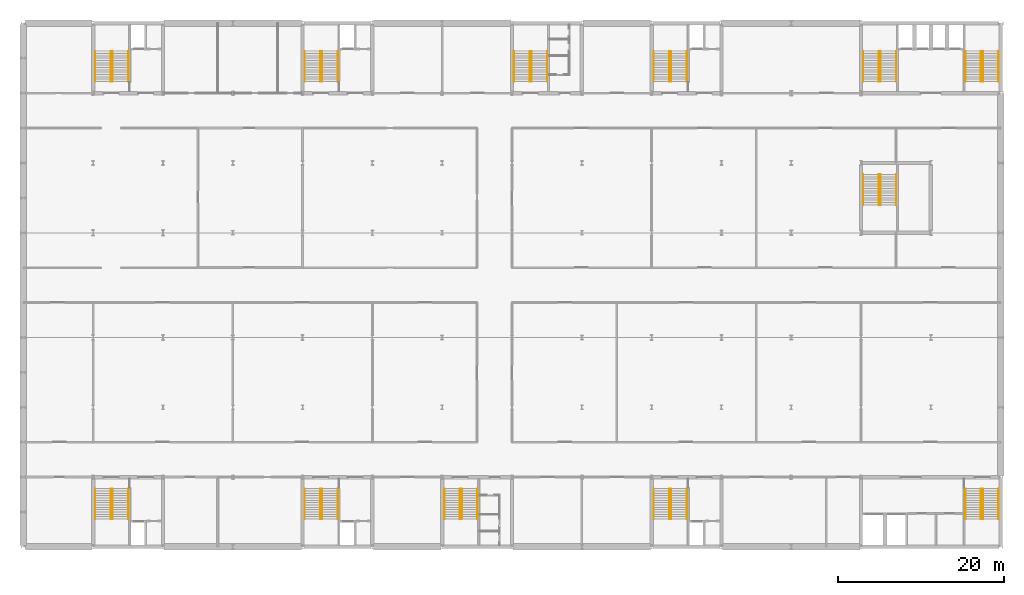
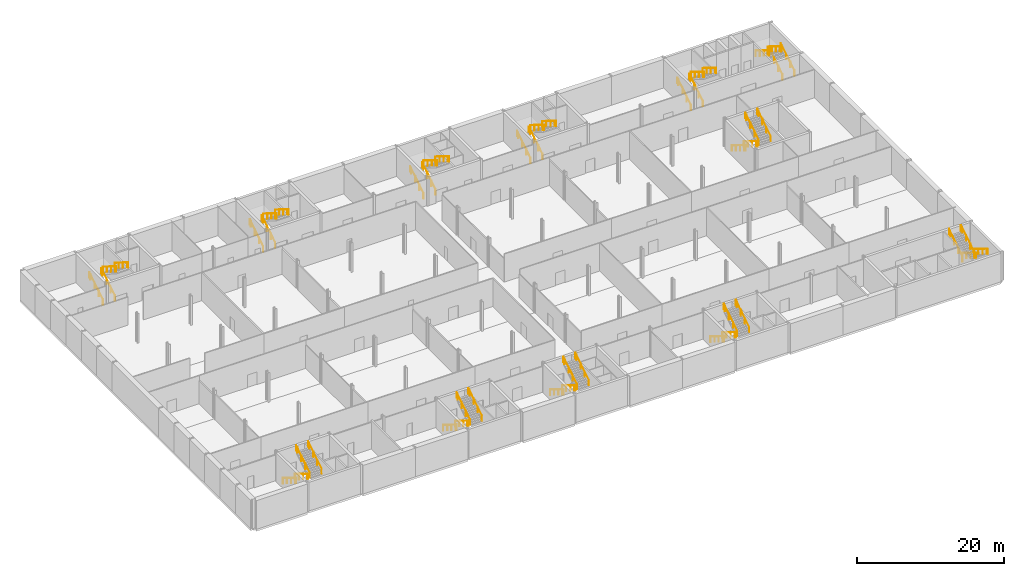
# One storey, part 20 of 20: 48 railings.
"""IFC4 building model written with IfcOpenShell, lengths in metres."""

from ifc_helpers import new_model, si_unit, direction, frame, origin, origin_2d, place, context, subcontext, project, spatial, circle, extrude, material, type_object, element, save


model = new_model("IFC4")

# Units and contexts
model_context = context("Model", 3, precision=1e-05, world=origin(), true_north=direction((0.0, 1.0)))
body_context = subcontext(model_context, "Body", "Model", "MODEL_VIEW")
ifc_project = project(units=[si_unit("LENGTHUNIT", "METRE"), si_unit("AREAUNIT", "SQUARE_METRE"), si_unit("VOLUMEUNIT", "CUBIC_METRE"), si_unit("PLANEANGLEUNIT", "RADIAN"), si_unit("MASSUNIT", "GRAM", prefix="KILO")], contexts=[model_context])

# Site, building, storey
site_placement = place(None, origin())
site = spatial("IfcSite", under=ifc_project, at=site_placement, CompositionType="ELEMENT")
building_placement = place(site_placement, origin())
building = spatial("IfcBuilding", under=site, at=building_placement, Name="Galleria Vessillo Department Store", CompositionType="ELEMENT")
storey_placement = place(building_placement, frame((0.0, 0.0, -4.89990234375)))
storey = spatial("IfcBuildingStorey", under=building, at=storey_placement, Name="B1", CompositionType="ELEMENT", Elevation=-4.89990234375)

# Railings
ifc_material = material(Name="Stainless steel tube", Category="steel")
railing_type = type_object("IfcRailingType", Name="Stair handrail steel tube 48 mm", PredefinedType="HANDRAIL", material=ifc_material)
for number, where, name in (
    (1, (10.5400390625, 7.0, 0.175048828125), "Handrail ST1 B1 flight 1A"),
    (2, (8.66015625, 7.0, 0.175048828125), "Handrail ST1 B1 flight 1B"),
):
    element("IfcRailing", number, at=place(storey_placement, frame(where)), inside=storey, type_object=railing_type, Name=name, PredefinedType="HANDRAIL", context=body_context, shape_type="SweptSolid", body=[
        extrude(circle(Radius=0.02392578125, at=origin_2d()), frame((0.0, 0.0, 0.89599609375), z_axis=(0.0, -0.848039838182, 0.529932479526), x_axis=(1.0, 0.0, 0.0)), (0.0, 0.0, 1.0), 1.32080078125),
        extrude(circle(Radius=0.02392578125, at=origin_2d()), frame((0.0, -1.1201171875, 1.595703125), z_axis=(0.0, -0.847987918019, 0.530015557218), x_axis=(1.0, 0.0, 0.0)), (0.0, 0.0, 1.0), 1.320556640625),
        extrude(circle(Radius=0.02392578125, at=origin_2d()), frame((0.0, -2.239990234375, 2.2958984375), z_axis=(0.0, -0.848039838182, 0.529932479526), x_axis=(1.0, 0.0, 0.0)), (0.0, 0.0, 1.0), 1.32080078125),
        extrude(circle(Radius=0.02392578125, at=origin_2d()), frame((0.0, -3.360107421875, 2.99560546875), z_axis=(0.0, -0.847748857586, 0.530397845453), x_axis=(1.0, 0.0, 0.0)), (0.0, 0.0, 1.0), 0.330078125),
        extrude(circle(Radius=0.02099609375, at=origin_2d()), origin(), (0.0, 0.0, 1.0), 0.871826171875),
        extrude(circle(Radius=0.02099609375, at=origin_2d()), frame((0.0, -1.1201171875, 0.699951171875)), (0.0, 0.0, 1.0), 0.871826171875),
        extrude(circle(Radius=0.02099609375, at=origin_2d()), frame((0.0, -2.239990234375, 1.39990234375)), (0.0, 0.0, 1.0), 0.871826171875),
        extrude(circle(Radius=0.02099609375, at=origin_2d()), frame((0.0, -3.360107421875, 2.099853515625)), (0.0, 0.0, 1.0), 0.871826171875),
        extrude(circle(Radius=0.02099609375, at=origin_2d()), frame((0.0, -3.639892578125, 2.27490234375)), (0.0, 0.0, 1.0), 0.871826171875),
    ])
for number, where, name in (
    (3, (10.760009765625, 3.360107421875, 2.625), "Handrail ST1 B1 flight 2A"),
    (4, (12.639892578125, 3.360107421875, 2.625), "Handrail ST1 B1 flight 2B"),
    (5, (8.66015625, 56.0, 0.175048828125), "Handrail ST2 B1 flight 1A"),
    (6, (10.5400390625, 56.0, 0.175048828125), "Handrail ST2 B1 flight 1B"),
):
    element("IfcRailing", number, at=place(storey_placement, frame(where)), inside=storey, type_object=railing_type, Name=name, PredefinedType="HANDRAIL", context=body_context, shape_type="SweptSolid", body=[
        extrude(circle(Radius=0.02392578125, at=origin_2d()), frame((0.0, 0.0, 0.89599609375), z_axis=(0.0, 0.848039838182, 0.529932479526), x_axis=(-1.0, 0.0, 0.0)), (0.0, 0.0, 1.0), 1.32080078125),
        extrude(circle(Radius=0.02392578125, at=origin_2d()), frame((0.0, 1.1201171875, 1.595703125), z_axis=(0.0, 0.847987918019, 0.530015557218), x_axis=(-1.0, 0.0, 0.0)), (0.0, 0.0, 1.0), 1.320556640625),
        extrude(circle(Radius=0.02392578125, at=origin_2d()), frame((0.0, 2.239990234375, 2.2958984375), z_axis=(0.0, 0.848039838182, 0.529932479526), x_axis=(-1.0, 0.0, 0.0)), (0.0, 0.0, 1.0), 1.32080078125),
        extrude(circle(Radius=0.02392578125, at=origin_2d()), frame((0.0, 3.360107421875, 2.99560546875), z_axis=(0.0, 0.847748857586, 0.530397845453), x_axis=(-1.0, 0.0, 0.0)), (0.0, 0.0, 1.0), 0.330078125),
        extrude(circle(Radius=0.02099609375, at=origin_2d()), origin(), (0.0, 0.0, 1.0), 0.871826171875),
        extrude(circle(Radius=0.02099609375, at=origin_2d()), frame((0.0, 1.1201171875, 0.699951171875)), (0.0, 0.0, 1.0), 0.871826171875),
        extrude(circle(Radius=0.02099609375, at=origin_2d()), frame((0.0, 2.239990234375, 1.39990234375)), (0.0, 0.0, 1.0), 0.871826171875),
        extrude(circle(Radius=0.02099609375, at=origin_2d()), frame((0.0, 3.360107421875, 2.099853515625)), (0.0, 0.0, 1.0), 0.871826171875),
        extrude(circle(Radius=0.02099609375, at=origin_2d()), frame((0.0, 3.639892578125, 2.27490234375)), (0.0, 0.0, 1.0), 0.871826171875),
    ])
for number, where, name in (
    (7, (12.639892578125, 59.639892578125, 2.625), "Handrail ST2 B1 flight 2A"),
    (8, (10.760009765625, 59.639892578125, 2.625), "Handrail ST2 B1 flight 2B"),
    (9, (35.739990234375, 7.0, 0.175048828125), "Handrail ST3 B1 flight 1A"),
    (10, (33.860107421875, 7.0, 0.175048828125), "Handrail ST3 B1 flight 1B"),
):
    element("IfcRailing", number, at=place(storey_placement, frame(where)), inside=storey, type_object=railing_type, Name=name, PredefinedType="HANDRAIL", context=body_context, shape_type="SweptSolid", body=[
        extrude(circle(Radius=0.02392578125, at=origin_2d()), frame((0.0, 0.0, 0.89599609375), z_axis=(0.0, -0.848039838182, 0.529932479526), x_axis=(1.0, 0.0, 0.0)), (0.0, 0.0, 1.0), 1.32080078125),
        extrude(circle(Radius=0.02392578125, at=origin_2d()), frame((0.0, -1.1201171875, 1.595703125), z_axis=(0.0, -0.847987918019, 0.530015557218), x_axis=(1.0, 0.0, 0.0)), (0.0, 0.0, 1.0), 1.320556640625),
        extrude(circle(Radius=0.02392578125, at=origin_2d()), frame((0.0, -2.239990234375, 2.2958984375), z_axis=(0.0, -0.848039838182, 0.529932479526), x_axis=(1.0, 0.0, 0.0)), (0.0, 0.0, 1.0), 1.32080078125),
        extrude(circle(Radius=0.02392578125, at=origin_2d()), frame((0.0, -3.360107421875, 2.99560546875), z_axis=(0.0, -0.847748857586, 0.530397845453), x_axis=(1.0, 0.0, 0.0)), (0.0, 0.0, 1.0), 0.330078125),
        extrude(circle(Radius=0.02099609375, at=origin_2d()), origin(), (0.0, 0.0, 1.0), 0.871826171875),
        extrude(circle(Radius=0.02099609375, at=origin_2d()), frame((0.0, -1.1201171875, 0.699951171875)), (0.0, 0.0, 1.0), 0.871826171875),
        extrude(circle(Radius=0.02099609375, at=origin_2d()), frame((0.0, -2.239990234375, 1.39990234375)), (0.0, 0.0, 1.0), 0.871826171875),
        extrude(circle(Radius=0.02099609375, at=origin_2d()), frame((0.0, -3.360107421875, 2.099853515625)), (0.0, 0.0, 1.0), 0.871826171875),
        extrude(circle(Radius=0.02099609375, at=origin_2d()), frame((0.0, -3.639892578125, 2.27490234375)), (0.0, 0.0, 1.0), 0.871826171875),
    ])
for number, where, name in (
    (11, (35.9599609375, 3.360107421875, 2.625), "Handrail ST3 B1 flight 2A"),
    (12, (37.83984375, 3.360107421875, 2.625), "Handrail ST3 B1 flight 2B"),
    (13, (33.860107421875, 56.0, 0.175048828125), "Handrail ST4 B1 flight 1A"),
    (14, (35.739990234375, 56.0, 0.175048828125), "Handrail ST4 B1 flight 1B"),
):
    element("IfcRailing", number, at=place(storey_placement, frame(where)), inside=storey, type_object=railing_type, Name=name, PredefinedType="HANDRAIL", context=body_context, shape_type="SweptSolid", body=[
        extrude(circle(Radius=0.02392578125, at=origin_2d()), frame((0.0, 0.0, 0.89599609375), z_axis=(0.0, 0.848039838182, 0.529932479526), x_axis=(-1.0, 0.0, 0.0)), (0.0, 0.0, 1.0), 1.32080078125),
        extrude(circle(Radius=0.02392578125, at=origin_2d()), frame((0.0, 1.1201171875, 1.595703125), z_axis=(0.0, 0.847987918019, 0.530015557218), x_axis=(-1.0, 0.0, 0.0)), (0.0, 0.0, 1.0), 1.320556640625),
        extrude(circle(Radius=0.02392578125, at=origin_2d()), frame((0.0, 2.239990234375, 2.2958984375), z_axis=(0.0, 0.848039838182, 0.529932479526), x_axis=(-1.0, 0.0, 0.0)), (0.0, 0.0, 1.0), 1.32080078125),
        extrude(circle(Radius=0.02392578125, at=origin_2d()), frame((0.0, 3.360107421875, 2.99560546875), z_axis=(0.0, 0.847748857586, 0.530397845453), x_axis=(-1.0, 0.0, 0.0)), (0.0, 0.0, 1.0), 0.330078125),
        extrude(circle(Radius=0.02099609375, at=origin_2d()), origin(), (0.0, 0.0, 1.0), 0.871826171875),
        extrude(circle(Radius=0.02099609375, at=origin_2d()), frame((0.0, 1.1201171875, 0.699951171875)), (0.0, 0.0, 1.0), 0.871826171875),
        extrude(circle(Radius=0.02099609375, at=origin_2d()), frame((0.0, 2.239990234375, 1.39990234375)), (0.0, 0.0, 1.0), 0.871826171875),
        extrude(circle(Radius=0.02099609375, at=origin_2d()), frame((0.0, 3.360107421875, 2.099853515625)), (0.0, 0.0, 1.0), 0.871826171875),
        extrude(circle(Radius=0.02099609375, at=origin_2d()), frame((0.0, 3.639892578125, 2.27490234375)), (0.0, 0.0, 1.0), 0.871826171875),
    ])
for number, where, name in (
    (15, (37.83984375, 59.639892578125, 2.625), "Handrail ST4 B1 flight 2A"),
    (16, (35.9599609375, 59.639892578125, 2.625), "Handrail ST4 B1 flight 2B"),
    (17, (77.739990234375, 7.0, 0.175048828125), "Handrail ST5 B1 flight 1A"),
    (18, (75.860107421875, 7.0, 0.175048828125), "Handrail ST5 B1 flight 1B"),
):
    element("IfcRailing", number, at=place(storey_placement, frame(where)), inside=storey, type_object=railing_type, Name=name, PredefinedType="HANDRAIL", context=body_context, shape_type="SweptSolid", body=[
        extrude(circle(Radius=0.02392578125, at=origin_2d()), frame((0.0, 0.0, 0.89599609375), z_axis=(0.0, -0.848039838182, 0.529932479526), x_axis=(1.0, 0.0, 0.0)), (0.0, 0.0, 1.0), 1.32080078125),
        extrude(circle(Radius=0.02392578125, at=origin_2d()), frame((0.0, -1.1201171875, 1.595703125), z_axis=(0.0, -0.847987918019, 0.530015557218), x_axis=(1.0, 0.0, 0.0)), (0.0, 0.0, 1.0), 1.320556640625),
        extrude(circle(Radius=0.02392578125, at=origin_2d()), frame((0.0, -2.239990234375, 2.2958984375), z_axis=(0.0, -0.848039838182, 0.529932479526), x_axis=(1.0, 0.0, 0.0)), (0.0, 0.0, 1.0), 1.32080078125),
        extrude(circle(Radius=0.02392578125, at=origin_2d()), frame((0.0, -3.360107421875, 2.99560546875), z_axis=(0.0, -0.847748857586, 0.530397845453), x_axis=(1.0, 0.0, 0.0)), (0.0, 0.0, 1.0), 0.330078125),
        extrude(circle(Radius=0.02099609375, at=origin_2d()), origin(), (0.0, 0.0, 1.0), 0.871826171875),
        extrude(circle(Radius=0.02099609375, at=origin_2d()), frame((0.0, -1.1201171875, 0.699951171875)), (0.0, 0.0, 1.0), 0.871826171875),
        extrude(circle(Radius=0.02099609375, at=origin_2d()), frame((0.0, -2.239990234375, 1.39990234375)), (0.0, 0.0, 1.0), 0.871826171875),
        extrude(circle(Radius=0.02099609375, at=origin_2d()), frame((0.0, -3.360107421875, 2.099853515625)), (0.0, 0.0, 1.0), 0.871826171875),
        extrude(circle(Radius=0.02099609375, at=origin_2d()), frame((0.0, -3.639892578125, 2.27490234375)), (0.0, 0.0, 1.0), 0.871826171875),
    ])
for number, where, name in (
    (19, (77.9599609375, 3.360107421875, 2.625), "Handrail ST5 B1 flight 2A"),
    (20, (79.83984375, 3.360107421875, 2.625), "Handrail ST5 B1 flight 2B"),
    (21, (75.860107421875, 56.0, 0.175048828125), "Handrail ST6 B1 flight 1A"),
    (22, (77.739990234375, 56.0, 0.175048828125), "Handrail ST6 B1 flight 1B"),
):
    element("IfcRailing", number, at=place(storey_placement, frame(where)), inside=storey, type_object=railing_type, Name=name, PredefinedType="HANDRAIL", context=body_context, shape_type="SweptSolid", body=[
        extrude(circle(Radius=0.02392578125, at=origin_2d()), frame((0.0, 0.0, 0.89599609375), z_axis=(0.0, 0.848039838182, 0.529932479526), x_axis=(-1.0, 0.0, 0.0)), (0.0, 0.0, 1.0), 1.32080078125),
        extrude(circle(Radius=0.02392578125, at=origin_2d()), frame((0.0, 1.1201171875, 1.595703125), z_axis=(0.0, 0.847987918019, 0.530015557218), x_axis=(-1.0, 0.0, 0.0)), (0.0, 0.0, 1.0), 1.320556640625),
        extrude(circle(Radius=0.02392578125, at=origin_2d()), frame((0.0, 2.239990234375, 2.2958984375), z_axis=(0.0, 0.848039838182, 0.529932479526), x_axis=(-1.0, 0.0, 0.0)), (0.0, 0.0, 1.0), 1.32080078125),
        extrude(circle(Radius=0.02392578125, at=origin_2d()), frame((0.0, 3.360107421875, 2.99560546875), z_axis=(0.0, 0.847748857586, 0.530397845453), x_axis=(-1.0, 0.0, 0.0)), (0.0, 0.0, 1.0), 0.330078125),
        extrude(circle(Radius=0.02099609375, at=origin_2d()), origin(), (0.0, 0.0, 1.0), 0.871826171875),
        extrude(circle(Radius=0.02099609375, at=origin_2d()), frame((0.0, 1.1201171875, 0.699951171875)), (0.0, 0.0, 1.0), 0.871826171875),
        extrude(circle(Radius=0.02099609375, at=origin_2d()), frame((0.0, 2.239990234375, 1.39990234375)), (0.0, 0.0, 1.0), 0.871826171875),
        extrude(circle(Radius=0.02099609375, at=origin_2d()), frame((0.0, 3.360107421875, 2.099853515625)), (0.0, 0.0, 1.0), 0.871826171875),
        extrude(circle(Radius=0.02099609375, at=origin_2d()), frame((0.0, 3.639892578125, 2.27490234375)), (0.0, 0.0, 1.0), 0.871826171875),
    ])
for number, where, name in (
    (23, (79.83984375, 59.639892578125, 2.625), "Handrail ST6 B1 flight 2A"),
    (24, (77.9599609375, 59.639892578125, 2.625), "Handrail ST6 B1 flight 2B"),
    (25, (52.5400390625, 7.0, 0.175048828125), "Handrail ST10 B1 flight 1A"),
    (26, (50.66015625, 7.0, 0.175048828125), "Handrail ST10 B1 flight 1B"),
):
    element("IfcRailing", number, at=place(storey_placement, frame(where)), inside=storey, type_object=railing_type, Name=name, PredefinedType="HANDRAIL", context=body_context, shape_type="SweptSolid", body=[
        extrude(circle(Radius=0.02392578125, at=origin_2d()), frame((0.0, 0.0, 0.89599609375), z_axis=(0.0, -0.848039838182, 0.529932479526), x_axis=(1.0, 0.0, 0.0)), (0.0, 0.0, 1.0), 1.32080078125),
        extrude(circle(Radius=0.02392578125, at=origin_2d()), frame((0.0, -1.1201171875, 1.595703125), z_axis=(0.0, -0.847987918019, 0.530015557218), x_axis=(1.0, 0.0, 0.0)), (0.0, 0.0, 1.0), 1.320556640625),
        extrude(circle(Radius=0.02392578125, at=origin_2d()), frame((0.0, -2.239990234375, 2.2958984375), z_axis=(0.0, -0.848039838182, 0.529932479526), x_axis=(1.0, 0.0, 0.0)), (0.0, 0.0, 1.0), 1.32080078125),
        extrude(circle(Radius=0.02392578125, at=origin_2d()), frame((0.0, -3.360107421875, 2.99560546875), z_axis=(0.0, -0.847748857586, 0.530397845453), x_axis=(1.0, 0.0, 0.0)), (0.0, 0.0, 1.0), 0.330078125),
        extrude(circle(Radius=0.02099609375, at=origin_2d()), origin(), (0.0, 0.0, 1.0), 0.871826171875),
        extrude(circle(Radius=0.02099609375, at=origin_2d()), frame((0.0, -1.1201171875, 0.699951171875)), (0.0, 0.0, 1.0), 0.871826171875),
        extrude(circle(Radius=0.02099609375, at=origin_2d()), frame((0.0, -2.239990234375, 1.39990234375)), (0.0, 0.0, 1.0), 0.871826171875),
        extrude(circle(Radius=0.02099609375, at=origin_2d()), frame((0.0, -3.360107421875, 2.099853515625)), (0.0, 0.0, 1.0), 0.871826171875),
        extrude(circle(Radius=0.02099609375, at=origin_2d()), frame((0.0, -3.639892578125, 2.27490234375)), (0.0, 0.0, 1.0), 0.871826171875),
    ])
for number, where, name in (
    (27, (52.760009765625, 3.360107421875, 2.625), "Handrail ST10 B1 flight 2A"),
    (28, (54.639892578125, 3.360107421875, 2.625), "Handrail ST10 B1 flight 2B"),
    (29, (59.06005859375, 56.0, 0.175048828125), "Handrail ST11 B1 flight 1A"),
    (30, (60.93994140625, 56.0, 0.175048828125), "Handrail ST11 B1 flight 1B"),
):
    element("IfcRailing", number, at=place(storey_placement, frame(where)), inside=storey, type_object=railing_type, Name=name, PredefinedType="HANDRAIL", context=body_context, shape_type="SweptSolid", body=[
        extrude(circle(Radius=0.02392578125, at=origin_2d()), frame((0.0, 0.0, 0.89599609375), z_axis=(0.0, 0.848039838182, 0.529932479526), x_axis=(-1.0, 0.0, 0.0)), (0.0, 0.0, 1.0), 1.32080078125),
        extrude(circle(Radius=0.02392578125, at=origin_2d()), frame((0.0, 1.1201171875, 1.595703125), z_axis=(0.0, 0.847987918019, 0.530015557218), x_axis=(-1.0, 0.0, 0.0)), (0.0, 0.0, 1.0), 1.320556640625),
        extrude(circle(Radius=0.02392578125, at=origin_2d()), frame((0.0, 2.239990234375, 2.2958984375), z_axis=(0.0, 0.848039838182, 0.529932479526), x_axis=(-1.0, 0.0, 0.0)), (0.0, 0.0, 1.0), 1.32080078125),
        extrude(circle(Radius=0.02392578125, at=origin_2d()), frame((0.0, 3.360107421875, 2.99560546875), z_axis=(0.0, 0.847748857586, 0.530397845453), x_axis=(-1.0, 0.0, 0.0)), (0.0, 0.0, 1.0), 0.330078125),
        extrude(circle(Radius=0.02099609375, at=origin_2d()), origin(), (0.0, 0.0, 1.0), 0.871826171875),
        extrude(circle(Radius=0.02099609375, at=origin_2d()), frame((0.0, 1.1201171875, 0.699951171875)), (0.0, 0.0, 1.0), 0.871826171875),
        extrude(circle(Radius=0.02099609375, at=origin_2d()), frame((0.0, 2.239990234375, 1.39990234375)), (0.0, 0.0, 1.0), 0.871826171875),
        extrude(circle(Radius=0.02099609375, at=origin_2d()), frame((0.0, 3.360107421875, 2.099853515625)), (0.0, 0.0, 1.0), 0.871826171875),
        extrude(circle(Radius=0.02099609375, at=origin_2d()), frame((0.0, 3.639892578125, 2.27490234375)), (0.0, 0.0, 1.0), 0.871826171875),
    ])
for number, where, name in (
    (31, (63.0400390625, 59.639892578125, 2.625), "Handrail ST11 B1 flight 2A"),
    (32, (61.16015625, 59.639892578125, 2.625), "Handrail ST11 B1 flight 2B"),
    (33, (117.33984375, 7.0, 0.175048828125), "Handrail ST7 B1 flight 1A"),
    (34, (115.4599609375, 7.0, 0.175048828125), "Handrail ST7 B1 flight 1B"),
):
    element("IfcRailing", number, at=place(storey_placement, frame(where)), inside=storey, type_object=railing_type, Name=name, PredefinedType="HANDRAIL", context=body_context, shape_type="SweptSolid", body=[
        extrude(circle(Radius=0.02392578125, at=origin_2d()), frame((0.0, 0.0, 0.89599609375), z_axis=(0.0, -0.848039838182, 0.529932479526), x_axis=(1.0, 0.0, 0.0)), (0.0, 0.0, 1.0), 1.32080078125),
        extrude(circle(Radius=0.02392578125, at=origin_2d()), frame((0.0, -1.1201171875, 1.595703125), z_axis=(0.0, -0.847987918019, 0.530015557218), x_axis=(1.0, 0.0, 0.0)), (0.0, 0.0, 1.0), 1.320556640625),
        extrude(circle(Radius=0.02392578125, at=origin_2d()), frame((0.0, -2.239990234375, 2.2958984375), z_axis=(0.0, -0.848039838182, 0.529932479526), x_axis=(1.0, 0.0, 0.0)), (0.0, 0.0, 1.0), 1.32080078125),
        extrude(circle(Radius=0.02392578125, at=origin_2d()), frame((0.0, -3.360107421875, 2.99560546875), z_axis=(0.0, -0.847748857586, 0.530397845453), x_axis=(1.0, 0.0, 0.0)), (0.0, 0.0, 1.0), 0.330078125),
        extrude(circle(Radius=0.02099609375, at=origin_2d()), origin(), (0.0, 0.0, 1.0), 0.871826171875),
        extrude(circle(Radius=0.02099609375, at=origin_2d()), frame((0.0, -1.1201171875, 0.699951171875)), (0.0, 0.0, 1.0), 0.871826171875),
        extrude(circle(Radius=0.02099609375, at=origin_2d()), frame((0.0, -2.239990234375, 1.39990234375)), (0.0, 0.0, 1.0), 0.871826171875),
        extrude(circle(Radius=0.02099609375, at=origin_2d()), frame((0.0, -3.360107421875, 2.099853515625)), (0.0, 0.0, 1.0), 0.871826171875),
        extrude(circle(Radius=0.02099609375, at=origin_2d()), frame((0.0, -3.639892578125, 2.27490234375)), (0.0, 0.0, 1.0), 0.871826171875),
    ])
for number, where, name in (
    (35, (113.360107421875, 3.360107421875, 2.625), "Handrail ST7 B1 flight 2A"),
    (36, (115.239990234375, 3.360107421875, 2.625), "Handrail ST7 B1 flight 2B"),
    (37, (101.06005859375, 56.0, 0.175048828125), "Handrail ST8 B1 flight 1A"),
    (38, (102.93994140625, 56.0, 0.175048828125), "Handrail ST8 B1 flight 1B"),
):
    element("IfcRailing", number, at=place(storey_placement, frame(where)), inside=storey, type_object=railing_type, Name=name, PredefinedType="HANDRAIL", context=body_context, shape_type="SweptSolid", body=[
        extrude(circle(Radius=0.02392578125, at=origin_2d()), frame((0.0, 0.0, 0.89599609375), z_axis=(0.0, 0.848039838182, 0.529932479526), x_axis=(-1.0, 0.0, 0.0)), (0.0, 0.0, 1.0), 1.32080078125),
        extrude(circle(Radius=0.02392578125, at=origin_2d()), frame((0.0, 1.1201171875, 1.595703125), z_axis=(0.0, 0.847987918019, 0.530015557218), x_axis=(-1.0, 0.0, 0.0)), (0.0, 0.0, 1.0), 1.320556640625),
        extrude(circle(Radius=0.02392578125, at=origin_2d()), frame((0.0, 2.239990234375, 2.2958984375), z_axis=(0.0, 0.848039838182, 0.529932479526), x_axis=(-1.0, 0.0, 0.0)), (0.0, 0.0, 1.0), 1.32080078125),
        extrude(circle(Radius=0.02392578125, at=origin_2d()), frame((0.0, 3.360107421875, 2.99560546875), z_axis=(0.0, 0.847748857586, 0.530397845453), x_axis=(-1.0, 0.0, 0.0)), (0.0, 0.0, 1.0), 0.330078125),
        extrude(circle(Radius=0.02099609375, at=origin_2d()), origin(), (0.0, 0.0, 1.0), 0.871826171875),
        extrude(circle(Radius=0.02099609375, at=origin_2d()), frame((0.0, 1.1201171875, 0.699951171875)), (0.0, 0.0, 1.0), 0.871826171875),
        extrude(circle(Radius=0.02099609375, at=origin_2d()), frame((0.0, 2.239990234375, 1.39990234375)), (0.0, 0.0, 1.0), 0.871826171875),
        extrude(circle(Radius=0.02099609375, at=origin_2d()), frame((0.0, 3.360107421875, 2.099853515625)), (0.0, 0.0, 1.0), 0.871826171875),
        extrude(circle(Radius=0.02099609375, at=origin_2d()), frame((0.0, 3.639892578125, 2.27490234375)), (0.0, 0.0, 1.0), 0.871826171875),
    ])
for number, where, name in (
    (39, (105.0400390625, 59.639892578125, 2.625), "Handrail ST8 B1 flight 2A"),
    (40, (103.16015625, 59.639892578125, 2.625), "Handrail ST8 B1 flight 2B"),
):
    element("IfcRailing", number, at=place(storey_placement, frame(where)), inside=storey, type_object=railing_type, Name=name, PredefinedType="HANDRAIL", context=body_context, shape_type="SweptSolid", body=[
        extrude(circle(Radius=0.02392578125, at=origin_2d()), frame((0.0, 0.0, 0.89599609375), z_axis=(0.0, -0.848039838182, 0.529932479526), x_axis=(1.0, 0.0, 0.0)), (0.0, 0.0, 1.0), 1.32080078125),
        extrude(circle(Radius=0.02392578125, at=origin_2d()), frame((0.0, -1.1201171875, 1.595703125), z_axis=(0.0, -0.847987918019, 0.530015557218), x_axis=(1.0, 0.0, 0.0)), (0.0, 0.0, 1.0), 1.320556640625),
        extrude(circle(Radius=0.02392578125, at=origin_2d()), frame((0.0, -2.239990234375, 2.2958984375), z_axis=(0.0, -0.848039838182, 0.529932479526), x_axis=(1.0, 0.0, 0.0)), (0.0, 0.0, 1.0), 1.32080078125),
        extrude(circle(Radius=0.02392578125, at=origin_2d()), frame((0.0, -3.360107421875, 2.99560546875), z_axis=(0.0, -0.847748857586, 0.530397845453), x_axis=(1.0, 0.0, 0.0)), (0.0, 0.0, 1.0), 0.330078125),
        extrude(circle(Radius=0.02099609375, at=origin_2d()), origin(), (0.0, 0.0, 1.0), 0.871826171875),
        extrude(circle(Radius=0.02099609375, at=origin_2d()), frame((0.0, -1.1201171875, 0.699951171875)), (0.0, 0.0, 1.0), 0.871826171875),
        extrude(circle(Radius=0.02099609375, at=origin_2d()), frame((0.0, -2.239990234375, 1.39990234375)), (0.0, 0.0, 1.0), 0.871826171875),
        extrude(circle(Radius=0.02099609375, at=origin_2d()), frame((0.0, -3.360107421875, 2.099853515625)), (0.0, 0.0, 1.0), 0.871826171875),
        extrude(circle(Radius=0.02099609375, at=origin_2d()), frame((0.0, -3.639892578125, 2.27490234375)), (0.0, 0.0, 1.0), 0.871826171875),
    ])
for number, where, name in (
    (41, (115.4599609375, 56.0, 0.175048828125), "Handrail ST9 B1 flight 1A"),
    (42, (117.33984375, 56.0, 0.175048828125), "Handrail ST9 B1 flight 1B"),
):
    element("IfcRailing", number, at=place(storey_placement, frame(where)), inside=storey, type_object=railing_type, Name=name, PredefinedType="HANDRAIL", context=body_context, shape_type="SweptSolid", body=[
        extrude(circle(Radius=0.02392578125, at=origin_2d()), frame((0.0, 0.0, 0.89599609375), z_axis=(0.0, 0.848039838182, 0.529932479526), x_axis=(-1.0, 0.0, 0.0)), (0.0, 0.0, 1.0), 1.32080078125),
        extrude(circle(Radius=0.02392578125, at=origin_2d()), frame((0.0, 1.1201171875, 1.595703125), z_axis=(0.0, 0.847987918019, 0.530015557218), x_axis=(-1.0, 0.0, 0.0)), (0.0, 0.0, 1.0), 1.320556640625),
        extrude(circle(Radius=0.02392578125, at=origin_2d()), frame((0.0, 2.239990234375, 2.2958984375), z_axis=(0.0, 0.848039838182, 0.529932479526), x_axis=(-1.0, 0.0, 0.0)), (0.0, 0.0, 1.0), 1.32080078125),
        extrude(circle(Radius=0.02392578125, at=origin_2d()), frame((0.0, 3.360107421875, 2.99560546875), z_axis=(0.0, 0.847748857586, 0.530397845453), x_axis=(-1.0, 0.0, 0.0)), (0.0, 0.0, 1.0), 0.330078125),
        extrude(circle(Radius=0.02099609375, at=origin_2d()), origin(), (0.0, 0.0, 1.0), 0.871826171875),
        extrude(circle(Radius=0.02099609375, at=origin_2d()), frame((0.0, 1.1201171875, 0.699951171875)), (0.0, 0.0, 1.0), 0.871826171875),
        extrude(circle(Radius=0.02099609375, at=origin_2d()), frame((0.0, 2.239990234375, 1.39990234375)), (0.0, 0.0, 1.0), 0.871826171875),
        extrude(circle(Radius=0.02099609375, at=origin_2d()), frame((0.0, 3.360107421875, 2.099853515625)), (0.0, 0.0, 1.0), 0.871826171875),
        extrude(circle(Radius=0.02099609375, at=origin_2d()), frame((0.0, 3.639892578125, 2.27490234375)), (0.0, 0.0, 1.0), 0.871826171875),
    ])
for number, where, name in (
    (43, (115.239990234375, 59.639892578125, 2.625), "Handrail ST9 B1 flight 2A"),
    (44, (113.360107421875, 59.639892578125, 2.625), "Handrail ST9 B1 flight 2B"),
    (45, (102.93994140625, 44.800048828125, 0.175048828125), "Handrail ST12 B1 flight 1A"),
    (46, (101.06005859375, 44.800048828125, 0.175048828125), "Handrail ST12 B1 flight 1B"),
):
    element("IfcRailing", number, at=place(storey_placement, frame(where)), inside=storey, type_object=railing_type, Name=name, PredefinedType="HANDRAIL", context=body_context, shape_type="SweptSolid", body=[
        extrude(circle(Radius=0.02392578125, at=origin_2d()), frame((0.0, 0.0, 0.89599609375), z_axis=(0.0, -0.848039838182, 0.529932479526), x_axis=(1.0, 0.0, 0.0)), (0.0, 0.0, 1.0), 1.32080078125),
        extrude(circle(Radius=0.02392578125, at=origin_2d()), frame((0.0, -1.1201171875, 1.595703125), z_axis=(0.0, -0.847987918019, 0.530015557218), x_axis=(1.0, 0.0, 0.0)), (0.0, 0.0, 1.0), 1.320556640625),
        extrude(circle(Radius=0.02392578125, at=origin_2d()), frame((0.0, -2.239990234375, 2.2958984375), z_axis=(0.0, -0.848039838182, 0.529932479526), x_axis=(1.0, 0.0, 0.0)), (0.0, 0.0, 1.0), 1.32080078125),
        extrude(circle(Radius=0.02392578125, at=origin_2d()), frame((0.0, -3.360107421875, 2.99560546875), z_axis=(0.0, -0.847748857586, 0.530397845453), x_axis=(1.0, 0.0, 0.0)), (0.0, 0.0, 1.0), 0.330078125),
        extrude(circle(Radius=0.02099609375, at=origin_2d()), origin(), (0.0, 0.0, 1.0), 0.871826171875),
        extrude(circle(Radius=0.02099609375, at=origin_2d()), frame((0.0, -1.1201171875, 0.699951171875)), (0.0, 0.0, 1.0), 0.871826171875),
        extrude(circle(Radius=0.02099609375, at=origin_2d()), frame((0.0, -2.239990234375, 1.39990234375)), (0.0, 0.0, 1.0), 0.871826171875),
        extrude(circle(Radius=0.02099609375, at=origin_2d()), frame((0.0, -3.360107421875, 2.099853515625)), (0.0, 0.0, 1.0), 0.871826171875),
        extrude(circle(Radius=0.02099609375, at=origin_2d()), frame((0.0, -3.639892578125, 2.27490234375)), (0.0, 0.0, 1.0), 0.871826171875),
    ])
for number, where, name in (
    (47, (103.16015625, 41.159912109375, 2.625), "Handrail ST12 B1 flight 2A"),
    (48, (105.0400390625, 41.159912109375, 2.625), "Handrail ST12 B1 flight 2B"),
):
    element("IfcRailing", number, at=place(storey_placement, frame(where)), inside=storey, type_object=railing_type, Name=name, PredefinedType="HANDRAIL", context=body_context, shape_type="SweptSolid", body=[
        extrude(circle(Radius=0.02392578125, at=origin_2d()), frame((0.0, 0.0, 0.89599609375), z_axis=(0.0, 0.848039838182, 0.529932479526), x_axis=(-1.0, 0.0, 0.0)), (0.0, 0.0, 1.0), 1.32080078125),
        extrude(circle(Radius=0.02392578125, at=origin_2d()), frame((0.0, 1.1201171875, 1.595703125), z_axis=(0.0, 0.847987918019, 0.530015557218), x_axis=(-1.0, 0.0, 0.0)), (0.0, 0.0, 1.0), 1.320556640625),
        extrude(circle(Radius=0.02392578125, at=origin_2d()), frame((0.0, 2.239990234375, 2.2958984375), z_axis=(0.0, 0.848039838182, 0.529932479526), x_axis=(-1.0, 0.0, 0.0)), (0.0, 0.0, 1.0), 1.32080078125),
        extrude(circle(Radius=0.02392578125, at=origin_2d()), frame((0.0, 3.360107421875, 2.99560546875), z_axis=(0.0, 0.847748857586, 0.530397845453), x_axis=(-1.0, 0.0, 0.0)), (0.0, 0.0, 1.0), 0.330078125),
        extrude(circle(Radius=0.02099609375, at=origin_2d()), origin(), (0.0, 0.0, 1.0), 0.871826171875),
        extrude(circle(Radius=0.02099609375, at=origin_2d()), frame((0.0, 1.1201171875, 0.699951171875)), (0.0, 0.0, 1.0), 0.871826171875),
        extrude(circle(Radius=0.02099609375, at=origin_2d()), frame((0.0, 2.239990234375, 1.39990234375)), (0.0, 0.0, 1.0), 0.871826171875),
        extrude(circle(Radius=0.02099609375, at=origin_2d()), frame((0.0, 3.360107421875, 2.099853515625)), (0.0, 0.0, 1.0), 0.871826171875),
        extrude(circle(Radius=0.02099609375, at=origin_2d()), frame((0.0, 3.639892578125, 2.27490234375)), (0.0, 0.0, 1.0), 0.871826171875),
    ])

save(model, "model.ifc")
